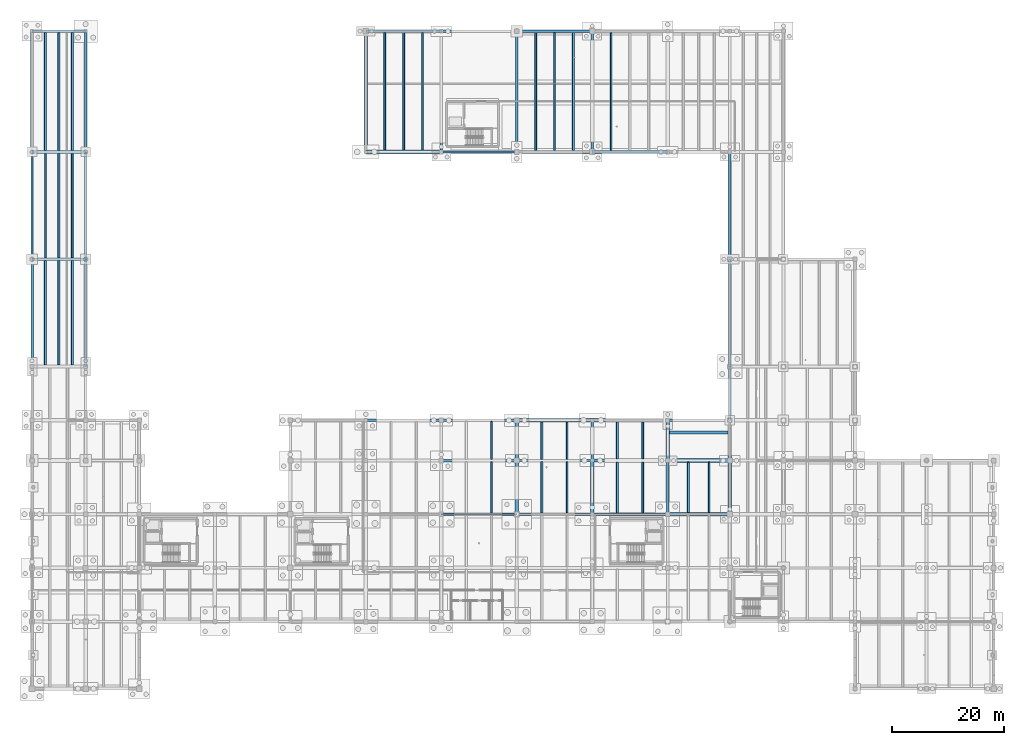
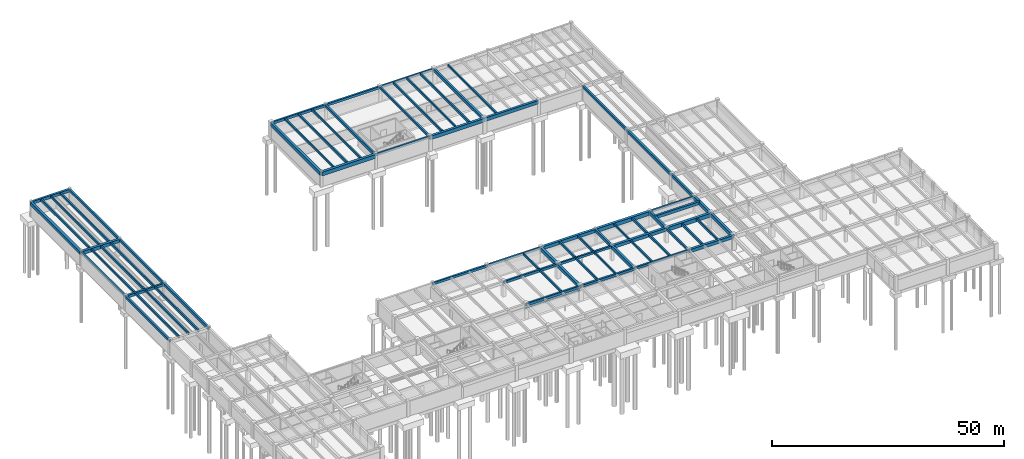
# One storey, part 11 of 41: 74 beams.
"""IFC4 building model written with IfcOpenShell, lengths in metres."""

from ifc_helpers import new_model, si_unit, direction, frame, origin, origin_2d, place, context, subcontext, project, spatial, rectangle, i_section, extrude, material, material_profile, profile_set, type_object, element, save


model = new_model("IFC4")

# Units and contexts
model_context = context("Model", 3, precision=1e-05, world=origin(), true_north=direction((0.0, 1.0)))
body_context = subcontext(model_context, "Body", "Model", "MODEL_VIEW")
ifc_project = project(units=[si_unit("LENGTHUNIT", "METRE"), si_unit("AREAUNIT", "SQUARE_METRE"), si_unit("VOLUMEUNIT", "CUBIC_METRE"), si_unit("PLANEANGLEUNIT", "RADIAN"), si_unit("MASSUNIT", "GRAM", prefix="KILO")], contexts=[model_context])

# Site, building, storey
site_placement = place(None, origin())
site = spatial("IfcSite", under=ifc_project, at=site_placement, CompositionType="ELEMENT")
building_placement = place(site_placement, origin())
building = spatial("IfcBuilding", under=site, at=building_placement, Name="Fikremerkos Civic Library", CompositionType="ELEMENT")
storey_placement = place(building_placement, frame((0.0, 0.0, -8.39990234375)))
storey = spatial("IfcBuildingStorey", under=building, at=storey_placement, Name="B02", CompositionType="ELEMENT", Elevation=-8.39990234375)

# Beams
ifc_material_1 = material(Name="Concrete C40/50", Category="concrete")
ifc_material_profile_1 = material_profile(ifc_material_1, rectangle(XDim=0.35009765625, YDim=0.60009765625, at=origin_2d()), Name="RC 350x600")
ifc_profile_set_1 = profile_set([ifc_material_profile_1], Name="Concrete C40/50")
beam_type_1 = type_object("IfcBeamType", Name="Floor joist JS-01 RC 350x600", PredefinedType="JOIST", material=ifc_profile_set_1)
for number, where, z_axis, x_axis, name in (
    (1, (2.39990234375, 57.875, 3.599853515625), (0.0, 1.0, 0.0), (-1.0, 0.0, 0.0), "Floor joist JS-01 B02 #13"),
    (2, (7.199951171875, 57.875, 3.599853515625), (0.0, 1.0, 0.0), (-1.0, 0.0, 0.0), "Floor joist JS-01 B02 #15"),
):
    element("IfcBeam", number, at=place(storey_placement, frame(where, z_axis=z_axis, x_axis=x_axis)), inside=storey, type_object=beam_type_1, Name=name, PredefinedType="JOIST", context=body_context, shape_type="SweptSolid", body=[
        extrude(rectangle(XDim=0.35009765625, YDim=0.60009765625, at=origin_2d()), origin(), (0.0, 0.0, 1.0), 18.699951171875),
    ])
beam_1_placement = place(storey_placement, frame((4.800048828125, 77.02490234375, 3.599853515625), z_axis=(0.0, 1.0, 0.0), x_axis=(-1.0, 0.0, 0.0)))
element("IfcBeam", 3, at=beam_1_placement, inside=storey, type_object=beam_type_1, Name="Floor joist JS-01 B02 #17", PredefinedType="JOIST", context=body_context, shape_type="SweptSolid", body=[
    extrude(rectangle(XDim=0.35009765625, YDim=0.60009765625, at=origin_2d()), origin(), (0.0, 0.0, 1.0), 18.675048828125),
])
for number, where, z_axis, x_axis, name in (
    (4, (2.39990234375, 96.300048828125, 3.599853515625), (0.0, 1.0, 0.0), (-1.0, 0.0, 0.0), "Floor joist JS-01 B02 #19"),
    (5, (7.199951171875, 96.300048828125, 3.599853515625), (0.0, 1.0, 0.0), (-1.0, 0.0, 0.0), "Floor joist JS-01 B02 #21"),
    (6, (66.449951171875, 96.324951171875, 3.599853515625), (0.0, 1.0, 0.0), (-1.0, 0.0, 0.0), "Floor joist JS-01 B02 #53"),
):
    element("IfcBeam", number, at=place(storey_placement, frame(where, z_axis=z_axis, x_axis=x_axis)), inside=storey, type_object=beam_type_1, Name=name, PredefinedType="JOIST", context=body_context, shape_type="SweptSolid", body=[
        extrude(rectangle(XDim=0.35009765625, YDim=0.60009765625, at=origin_2d()), origin(), (0.0, 0.0, 1.0), 21.050048828125),
    ])
beam_2_placement = place(storey_placement, frame((91.199951171875, 31.425048828125, 3.579833984375), z_axis=(0.0, 1.0, 0.0), x_axis=(-1.0, 0.0, 0.0)))
element("IfcBeam", 7, at=beam_2_placement, inside=storey, type_object=beam_type_1, Name="Floor joist JS-01 B02 #67", PredefinedType="JOIST", context=body_context, shape_type="SweptSolid", body=[
    extrude(rectangle(XDim=0.35009765625, YDim=0.60009765625, at=origin_2d()), origin(), (0.0, 0.0, 1.0), 9.175048828125),
])
beam_3_placement = place(storey_placement, frame((91.199951171875, 41.0, 3.579833984375), z_axis=(0.0, 1.0, 0.0), x_axis=(-1.0, 0.0, 0.0)))
element("IfcBeam", 8, at=beam_3_placement, inside=storey, type_object=beam_type_1, Name="Floor joist JS-01 B02 #69", PredefinedType="JOIST", context=body_context, shape_type="SweptSolid", body=[
    extrude(rectangle(XDim=0.35009765625, YDim=0.60009765625, at=origin_2d()), origin(), (0.0, 0.0, 1.0), 6.699951171875),
])
for number, where, z_axis, x_axis, name in (
    (9, (90.074951171875, 96.300048828125, 3.599853515625), (0.0, 1.0, 0.0), (-1.0, 0.0, 0.0), "Floor joist JS-01 B02 #71"),
    (10, (96.824951171875, 96.300048828125, 3.599853515625), (0.0, 1.0, 0.0), (-1.0, 0.0, 0.0), "Floor joist JS-01 B02 #73"),
):
    element("IfcBeam", number, at=place(storey_placement, frame(where, z_axis=z_axis, x_axis=x_axis)), inside=storey, type_object=beam_type_1, Name=name, PredefinedType="JOIST", context=body_context, shape_type="SweptSolid", body=[
        extrude(rectangle(XDim=0.35009765625, YDim=0.60009765625, at=origin_2d()), origin(), (0.0, 0.0, 1.0), 21.099853515625),
    ])
beam_4_placement = place(storey_placement, frame((109.199951171875, 31.39990234375, 3.579833984375), z_axis=(0.0, 1.0, 0.0), x_axis=(-1.0, 0.0, 0.0)))
element("IfcBeam", 11, at=beam_4_placement, inside=storey, type_object=beam_type_1, Name="Floor joist JS-01 B02 #77", PredefinedType="JOIST", context=body_context, shape_type="SweptSolid", body=[
    extrude(rectangle(XDim=0.35009765625, YDim=0.60009765625, at=origin_2d()), origin(), (0.0, 0.0, 1.0), 9.10009765625),
])
beam_5_placement = place(storey_placement, frame((109.199951171875, 41.10009765625, 3.579833984375), z_axis=(0.0, 1.0, 0.0), x_axis=(-1.0, 0.0, 0.0)))
element("IfcBeam", 12, at=beam_5_placement, inside=storey, type_object=beam_type_1, Name="Floor joist JS-01 B02 #79", PredefinedType="JOIST", context=body_context, shape_type="SweptSolid", body=[
    extrude(rectangle(XDim=0.35009765625, YDim=0.60009765625, at=origin_2d()), origin(), (0.0, 0.0, 1.0), 6.574951171875),
])
beam_6_placement = place(storey_placement, frame((117.39990234375, 31.5, 3.579833984375), z_axis=(0.0, 1.0, 0.0), x_axis=(-1.0, 0.0, 0.0)))
element("IfcBeam", 13, at=beam_6_placement, inside=storey, type_object=beam_type_1, Name="Floor joist JS-01 B02 #87", PredefinedType="JOIST", context=body_context, shape_type="SweptSolid", body=[
    extrude(rectangle(XDim=0.35009765625, YDim=0.60009765625, at=origin_2d()), origin(), (0.0, 0.0, 1.0), 8.97509765625),
])
ifc_material_profile_2 = material_profile(ifc_material_1, rectangle(XDim=0.320068359375, YDim=0.550048828125, at=origin_2d()), Name="RC 320x550")
ifc_profile_set_2 = profile_set([ifc_material_profile_2], Name="Concrete C40/50")
beam_type_2 = type_object("IfcBeamType", Name="Floor joist JS-02 RC 320x550", PredefinedType="JOIST", material=ifc_profile_set_2)
beam_7_placement = place(storey_placement, frame((4.800048828125, 57.875, 3.625), z_axis=(0.0, 1.0, 0.0), x_axis=(-1.0, 0.0, 0.0)))
element("IfcBeam", 14, at=beam_7_placement, inside=storey, type_object=beam_type_2, Name="Floor joist JS-02 B02 #14", PredefinedType="JOIST", context=body_context, shape_type="SweptSolid", body=[
    extrude(rectangle(XDim=0.320068359375, YDim=0.550048828125, at=origin_2d()), origin(), (0.0, 0.0, 1.0), 18.699951171875),
])
for number, where, z_axis, x_axis, name in (
    (15, (2.39990234375, 77.02490234375, 3.625), (0.0, 1.0, 0.0), (-1.0, 0.0, 0.0), "Floor joist JS-02 B02 #16"),
    (16, (7.199951171875, 77.02490234375, 3.625), (0.0, 1.0, 0.0), (-1.0, 0.0, 0.0), "Floor joist JS-02 B02 #18"),
):
    element("IfcBeam", number, at=place(storey_placement, frame(where, z_axis=z_axis, x_axis=x_axis)), inside=storey, type_object=beam_type_2, Name=name, PredefinedType="JOIST", context=body_context, shape_type="SweptSolid", body=[
        extrude(rectangle(XDim=0.320068359375, YDim=0.550048828125, at=origin_2d()), origin(), (0.0, 0.0, 1.0), 18.675048828125),
    ])
for number, where, z_axis, x_axis, name in (
    (17, (4.800048828125, 96.300048828125, 3.625), (0.0, 1.0, 0.0), (-1.0, 0.0, 0.0), "Floor joist JS-02 B02 #20"),
    (18, (63.074951171875, 96.324951171875, 3.625), (0.0, 1.0, 0.0), (-1.0, 0.0, 0.0), "Floor joist JS-02 B02 #52"),
    (19, (69.824951171875, 96.324951171875, 3.625), (0.0, 1.0, 0.0), (-1.0, 0.0, 0.0), "Floor joist JS-02 B02 #54"),
):
    element("IfcBeam", number, at=place(storey_placement, frame(where, z_axis=z_axis, x_axis=x_axis)), inside=storey, type_object=beam_type_2, Name=name, PredefinedType="JOIST", context=body_context, shape_type="SweptSolid", body=[
        extrude(rectangle(XDim=0.320068359375, YDim=0.550048828125, at=origin_2d()), origin(), (0.0, 0.0, 1.0), 21.050048828125),
    ])
beam_8_placement = place(storey_placement, frame((82.199951171875, 31.425048828125, 3.60498046875), z_axis=(0.0, 1.0, 0.0), x_axis=(-1.0, 0.0, 0.0)))
element("IfcBeam", 20, at=beam_8_placement, inside=storey, type_object=beam_type_2, Name="Floor joist JS-02 B02 #60", PredefinedType="JOIST", context=body_context, shape_type="SweptSolid", body=[
    extrude(rectangle(XDim=0.320068359375, YDim=0.550048828125, at=origin_2d()), origin(), (0.0, 0.0, 1.0), 9.14990234375),
])
beam_9_placement = place(storey_placement, frame((82.199951171875, 41.02490234375, 3.60498046875), z_axis=(0.0, 1.0, 0.0), x_axis=(-1.0, 0.0, 0.0)))
element("IfcBeam", 21, at=beam_9_placement, inside=storey, type_object=beam_type_2, Name="Floor joist JS-02 B02 #62", PredefinedType="JOIST", context=body_context, shape_type="SweptSolid", body=[
    extrude(rectangle(XDim=0.320068359375, YDim=0.550048828125, at=origin_2d()), origin(), (0.0, 0.0, 1.0), 6.775146484375),
])
beam_10_placement = place(storey_placement, frame((95.699951171875, 31.425048828125, 3.60498046875), z_axis=(0.0, 1.0, 0.0), x_axis=(-1.0, 0.0, 0.0)))
element("IfcBeam", 22, at=beam_10_placement, inside=storey, type_object=beam_type_2, Name="Floor joist JS-02 B02 #68", PredefinedType="JOIST", context=body_context, shape_type="SweptSolid", body=[
    extrude(rectangle(XDim=0.320068359375, YDim=0.550048828125, at=origin_2d()), origin(), (0.0, 0.0, 1.0), 9.175048828125),
])
beam_11_placement = place(storey_placement, frame((95.699951171875, 41.0, 3.60498046875), z_axis=(0.0, 1.0, 0.0), x_axis=(-1.0, 0.0, 0.0)))
element("IfcBeam", 23, at=beam_11_placement, inside=storey, type_object=beam_type_2, Name="Floor joist JS-02 B02 #70", PredefinedType="JOIST", context=body_context, shape_type="SweptSolid", body=[
    extrude(rectangle(XDim=0.320068359375, YDim=0.550048828125, at=origin_2d()), origin(), (0.0, 0.0, 1.0), 6.699951171875),
])
beam_12_placement = place(storey_placement, frame((93.449951171875, 96.300048828125, 3.625), z_axis=(0.0, 1.0, 0.0), x_axis=(-1.0, 0.0, 0.0)))
element("IfcBeam", 24, at=beam_12_placement, inside=storey, type_object=beam_type_2, Name="Floor joist JS-02 B02 #72", PredefinedType="JOIST", context=body_context, shape_type="SweptSolid", body=[
    extrude(rectangle(XDim=0.320068359375, YDim=0.550048828125, at=origin_2d()), origin(), (0.0, 0.0, 1.0), 21.099853515625),
])
beam_13_placement = place(storey_placement, frame((104.699951171875, 31.39990234375, 3.60498046875), z_axis=(0.0, 1.0, 0.0), x_axis=(-1.0, 0.0, 0.0)))
element("IfcBeam", 25, at=beam_13_placement, inside=storey, type_object=beam_type_2, Name="Floor joist JS-02 B02 #76", PredefinedType="JOIST", context=body_context, shape_type="SweptSolid", body=[
    extrude(rectangle(XDim=0.320068359375, YDim=0.550048828125, at=origin_2d()), origin(), (0.0, 0.0, 1.0), 9.10009765625),
])
beam_14_placement = place(storey_placement, frame((104.699951171875, 41.10009765625, 3.60498046875), z_axis=(0.0, 1.0, 0.0), x_axis=(-1.0, 0.0, 0.0)))
element("IfcBeam", 26, at=beam_14_placement, inside=storey, type_object=beam_type_2, Name="Floor joist JS-02 B02 #78", PredefinedType="JOIST", context=body_context, shape_type="SweptSolid", body=[
    extrude(rectangle(XDim=0.320068359375, YDim=0.550048828125, at=origin_2d()), origin(), (0.0, 0.0, 1.0), 6.574951171875),
])
beam_15_placement = place(storey_placement, frame((103.574951171875, 96.27490234375, 3.625), z_axis=(0.0, 1.0, 0.0), x_axis=(-1.0, 0.0, 0.0)))
element("IfcBeam", 27, at=beam_15_placement, inside=storey, type_object=beam_type_2, Name="Floor joist JS-02 B02 #80", PredefinedType="JOIST", context=body_context, shape_type="SweptSolid", body=[
    extrude(rectangle(XDim=0.320068359375, YDim=0.550048828125, at=origin_2d()), origin(), (0.0, 0.0, 1.0), 21.025146484375),
])
beam_16_placement = place(storey_placement, frame((121.10009765625, 31.5, 3.60498046875), z_axis=(0.0, 1.0, 0.0), x_axis=(-1.0, 0.0, 0.0)))
element("IfcBeam", 28, at=beam_16_placement, inside=storey, type_object=beam_type_2, Name="Floor joist JS-02 B02 #88", PredefinedType="JOIST", context=body_context, shape_type="SweptSolid", body=[
    extrude(rectangle(XDim=0.320068359375, YDim=0.550048828125, at=origin_2d()), origin(), (0.0, 0.0, 1.0), 8.97509765625),
])
ifc_material_2 = material(Name="Steel S355", Category="steel")
ifc_material_profile_3 = material_profile(ifc_material_2, i_section(OverallWidth=0.1201171875, OverallDepth=0.239990234375, WebThickness=0.006103515625, FlangeThickness=0.009765625, FilletRadius=0.014892578125, at=origin_2d()), Name="IPE 240")
ifc_profile_set_3 = profile_set([ifc_material_profile_3], Name="Steel S355")
beam_type_3 = type_object("IfcBeamType", Name="Opening lintel LNT-04 IPE 240", PredefinedType="LINTEL", material=ifc_profile_set_3)
beam_17_placement = place(storey_placement, frame((73.199951171875, 31.199951171875, 2.619873046875), z_axis=(1.0, 0.0, 0.0), x_axis=(0.0, 1.0, 0.0)))
element("IfcBeam", 29, at=beam_17_placement, inside=storey, type_object=beam_type_3, Name="Interior portal lintel LNT-04 B02 #2", PredefinedType="LINTEL", context=body_context, shape_type="SweptSolid", body=[
    extrude(i_section(OverallWidth=0.1201171875, OverallDepth=0.239990234375, WebThickness=0.006103515625, FlangeThickness=0.009765625, FilletRadius=0.014892578125, at=origin_2d()), origin(), (0.0, 0.0, 1.0), 13.5),
])
ifc_material_profile_4 = material_profile(ifc_material_1, rectangle(XDim=0.60009765625, YDim=0.949951171875, at=origin_2d()), Name="RC 600x950")
ifc_profile_set_4 = profile_set([ifc_material_profile_4], Name="Concrete C40/50")
beam_type_4 = type_object("IfcBeamType", Name="Primary girder BM-01 RC 600x950", PredefinedType="BEAM", material=ifc_profile_set_4)
beam_18_placement = place(storey_placement, frame((86.699951171875, 96.0, 3.4248046875), z_axis=(1.0, 0.0, 0.0), x_axis=(0.0, 1.0, 0.0)))
element("IfcBeam", 30, at=beam_18_placement, inside=storey, type_object=beam_type_4, Name="Primary girder BM-01 B02 grid M", PredefinedType="BEAM", context=body_context, shape_type="SweptSolid", body=[
    extrude(rectangle(XDim=0.60009765625, YDim=0.949951171875, at=origin_2d()), origin(), (0.0, 0.0, 1.0), 13.5),
])
beam_19_placement = place(storey_placement, frame((59.699951171875, 96.0, 3.4248046875), z_axis=(0.0, 1.0, 0.0), x_axis=(-1.0, 0.0, 0.0)))
element("IfcBeam", 31, at=beam_19_placement, inside=storey, type_object=beam_type_4, Name="Primary girder BM-01 B02 grid 6", PredefinedType="BEAM", context=body_context, shape_type="SweptSolid", body=[
    extrude(rectangle(XDim=0.60009765625, YDim=0.949951171875, at=origin_2d()), origin(), (0.0, 0.0, 1.0), 21.60009765625),
])
ifc_material_profile_5 = material_profile(ifc_material_1, rectangle(XDim=0.550048828125, YDim=0.89990234375, at=origin_2d()), Name="RC 550x900")
ifc_profile_set_5 = profile_set([ifc_material_profile_5], Name="Concrete C40/50")
beam_type_5 = type_object("IfcBeamType", Name="Primary girder BM-02 RC 550x900", PredefinedType="BEAM", material=ifc_profile_set_5)
beam_20_placement = place(storey_placement, frame((100.199951171875, 96.0, 3.449951171875), z_axis=(1.0, 0.0, 0.0), x_axis=(0.0, 1.0, 0.0)))
element("IfcBeam", 32, at=beam_20_placement, inside=storey, type_object=beam_type_5, Name="Primary girder BM-02 B02 grid M", PredefinedType="BEAM", context=body_context, shape_type="SweptSolid", body=[
    extrude(rectangle(XDim=0.550048828125, YDim=0.89990234375, at=origin_2d()), origin(), (0.0, 0.0, 1.0), 13.5),
])
beam_21_placement = place(storey_placement, frame((124.800048828125, 31.199951171875, 3.429931640625), z_axis=(0.0, 1.0, 0.0), x_axis=(-1.0, 0.0, 0.0)))
element("IfcBeam", 33, at=beam_21_placement, inside=storey, type_object=beam_type_5, Name="Primary girder BM-02 B02 grid 11", PredefinedType="BEAM", context=body_context, shape_type="SweptSolid", body=[
    extrude(rectangle(XDim=0.550048828125, YDim=0.89990234375, at=origin_2d()), origin(), (0.0, 0.0, 1.0), 9.60009765625),
])
ifc_material_profile_6 = material_profile(ifc_material_1, rectangle(XDim=0.550048828125, YDim=0.85009765625, at=origin_2d()), Name="RC 550x850")
ifc_profile_set_6 = profile_set([ifc_material_profile_6], Name="Concrete C40/50")
beam_type_6 = type_object("IfcBeamType", Name="Primary girder BM-03 RC 550x850", PredefinedType="BEAM", material=ifc_profile_set_6)
beam_22_placement = place(storey_placement, frame((100.199951171875, 31.199951171875, 3.454833984375), z_axis=(0.0, 1.0, 0.0), x_axis=(-1.0, 0.0, 0.0)))
element("IfcBeam", 34, at=beam_22_placement, inside=storey, type_object=beam_type_6, Name="Primary girder BM-03 B02 grid 9", PredefinedType="BEAM", context=body_context, shape_type="SweptSolid", body=[
    extrude(rectangle(XDim=0.550048828125, YDim=0.85009765625, at=origin_2d()), origin(), (0.0, 0.0, 1.0), 9.60009765625),
])
beam_23_placement = place(storey_placement, frame((124.800048828125, 40.800048828125, 3.454833984375), z_axis=(0.0, 1.0, 0.0), x_axis=(-1.0, 0.0, 0.0)))
element("IfcBeam", 35, at=beam_23_placement, inside=storey, type_object=beam_type_6, Name="Primary girder BM-03 B02 grid 11", PredefinedType="BEAM", context=body_context, shape_type="SweptSolid", body=[
    extrude(rectangle(XDim=0.550048828125, YDim=0.85009765625, at=origin_2d()), origin(), (0.0, 0.0, 1.0), 7.199951171875),
])
ifc_material_profile_7 = material_profile(ifc_material_1, rectangle(XDim=0.5, YDim=0.800048828125, at=origin_2d()), Name="RC 500x800")
ifc_profile_set_7 = profile_set([ifc_material_profile_7], Name="Concrete C40/50")
beam_type_7 = type_object("IfcBeamType", Name="Primary girder BM-04 RC 500x800", PredefinedType="BEAM", material=ifc_profile_set_7)
beam_24_placement = place(storey_placement, frame((113.699951171875, 45.800048828125, 3.47998046875), z_axis=(1.0, 0.0, 0.0), x_axis=(0.0, 1.0, 0.0)))
element("IfcBeam", 36, at=beam_24_placement, inside=storey, type_object=beam_type_7, Name="Vehicle ramp VRS-01 toe bearing girder BM-04 B02", PredefinedType="BEAM", context=body_context, shape_type="SweptSolid", body=[
    extrude(rectangle(XDim=0.5, YDim=0.800048828125, at=origin_2d()), origin(), (0.0, 0.0, 1.0), 11.10009765625),
])
beam_25_placement = place(storey_placement, frame((100.199951171875, 40.800048828125, 3.47998046875), z_axis=(0.0, 1.0, 0.0), x_axis=(-1.0, 0.0, 0.0)))
element("IfcBeam", 37, at=beam_25_placement, inside=storey, type_object=beam_type_7, Name="Primary girder BM-04 B02 grid 9", PredefinedType="BEAM", context=body_context, shape_type="SweptSolid", body=[
    extrude(rectangle(XDim=0.5, YDim=0.800048828125, at=origin_2d()), origin(), (0.0, 0.0, 1.0), 7.199951171875),
])
beam_26_placement = place(storey_placement, frame((124.800048828125, 48.0, 3.5), z_axis=(0.0, 1.0, 0.0), x_axis=(-1.0, 0.0, 0.0)))
element("IfcBeam", 38, at=beam_26_placement, inside=storey, type_object=beam_type_7, Name="Primary girder BM-04 B02 grid 11", PredefinedType="BEAM", context=body_context, shape_type="SweptSolid", body=[
    extrude(rectangle(XDim=0.5, YDim=0.800048828125, at=origin_2d()), origin(), (0.0, 0.0, 1.0), 9.60009765625),
])
ifc_material_profile_8 = material_profile(ifc_material_1, rectangle(XDim=0.5, YDim=0.75, at=origin_2d()), Name="RC 500x750")
ifc_profile_set_8 = profile_set([ifc_material_profile_8], Name="Concrete C40/50")
beam_type_8 = type_object("IfcBeamType", Name="Primary girder BM-05 RC 500x750", PredefinedType="BEAM", material=ifc_profile_set_8)
beam_27_placement = place(storey_placement, frame((0.0, 117.60009765625, 3.52490234375), z_axis=(1.0, 0.0, 0.0), x_axis=(0.0, 1.0, 0.0)))
element("IfcBeam", 39, at=beam_27_placement, inside=storey, type_object=beam_type_8, Name="Primary girder BM-05 B02 grid N", PredefinedType="BEAM", context=body_context, shape_type="SweptSolid", body=[
    extrude(rectangle(XDim=0.5, YDim=0.75, at=origin_2d()), origin(), (0.0, 0.0, 1.0), 9.60009765625),
])
beam_28_placement = place(storey_placement, frame((9.60009765625, 57.60009765625, 3.52490234375), z_axis=(0.0, 1.0, 0.0), x_axis=(-1.0, 0.0, 0.0)))
element("IfcBeam", 40, at=beam_28_placement, inside=storey, type_object=beam_type_8, Name="Primary girder BM-05 B02 grid 2", PredefinedType="BEAM", context=body_context, shape_type="SweptSolid", body=[
    extrude(rectangle(XDim=0.5, YDim=0.75, at=origin_2d()), origin(), (0.0, 0.0, 1.0), 19.199951171875),
])
beam_29_placement = place(storey_placement, frame((100.199951171875, 96.0, 3.52490234375), z_axis=(0.0, 1.0, 0.0), x_axis=(-1.0, 0.0, 0.0)))
element("IfcBeam", 41, at=beam_29_placement, inside=storey, type_object=beam_type_8, Name="Primary girder BM-05 B02 grid 9", PredefinedType="BEAM", context=body_context, shape_type="SweptSolid", body=[
    extrude(rectangle(XDim=0.5, YDim=0.75, at=origin_2d()), origin(), (0.0, 0.0, 1.0), 21.60009765625),
])
beam_30_placement = place(storey_placement, frame((124.800048828125, 57.60009765625, 3.52490234375), z_axis=(0.0, 1.0, 0.0), x_axis=(-1.0, 0.0, 0.0)))
element("IfcBeam", 42, at=beam_30_placement, inside=storey, type_object=beam_type_8, Name="Primary girder BM-05 B02 grid 11", PredefinedType="BEAM", context=body_context, shape_type="SweptSolid", body=[
    extrude(rectangle(XDim=0.5, YDim=0.75, at=origin_2d()), origin(), (0.0, 0.0, 1.0), 19.199951171875),
])
ifc_material_profile_9 = material_profile(ifc_material_1, rectangle(XDim=0.449951171875, YDim=0.699951171875, at=origin_2d()), Name="RC 450x700")
ifc_profile_set_9 = profile_set([ifc_material_profile_9], Name="Concrete C40/50")
beam_type_9 = type_object("IfcBeamType", Name="Primary girder BM-06 RC 450x700", PredefinedType="BEAM", material=ifc_profile_set_9)
beam_31_placement = place(storey_placement, frame((73.199951171875, 31.199951171875, 3.510009765625), z_axis=(1.0, 0.0, 0.0), x_axis=(0.0, 1.0, 0.0)))
element("IfcBeam", 43, at=beam_31_placement, inside=storey, type_object=beam_type_9, Name="Primary girder BM-06 B02 grid G", PredefinedType="BEAM", context=body_context, shape_type="SweptSolid", body=[
    extrude(rectangle(XDim=0.449951171875, YDim=0.699951171875, at=origin_2d()), origin(), (0.0, 0.0, 1.0), 13.5),
])
beam_32_placement = place(storey_placement, frame((0.0, 76.800048828125, 3.5498046875), z_axis=(1.0, 0.0, 0.0), x_axis=(0.0, 1.0, 0.0)))
element("IfcBeam", 44, at=beam_32_placement, inside=storey, type_object=beam_type_9, Name="Primary girder BM-06 B02 grid L", PredefinedType="BEAM", context=body_context, shape_type="SweptSolid", body=[
    extrude(rectangle(XDim=0.449951171875, YDim=0.699951171875, at=origin_2d()), origin(), (0.0, 0.0, 1.0), 9.60009765625),
])
beam_33_placement = place(storey_placement, frame((59.699951171875, 117.60009765625, 3.5498046875), z_axis=(1.0, 0.0, 0.0), x_axis=(0.0, 1.0, 0.0)))
element("IfcBeam", 45, at=beam_33_placement, inside=storey, type_object=beam_type_9, Name="Primary girder BM-06 B02 grid N", PredefinedType="BEAM", context=body_context, shape_type="SweptSolid", body=[
    extrude(rectangle(XDim=0.449951171875, YDim=0.699951171875, at=origin_2d()), origin(), (0.0, 0.0, 1.0), 13.5),
])
beam_34_placement = place(storey_placement, frame((9.60009765625, 76.800048828125, 3.5498046875), z_axis=(0.0, 1.0, 0.0), x_axis=(-1.0, 0.0, 0.0)))
element("IfcBeam", 46, at=beam_34_placement, inside=storey, type_object=beam_type_9, Name="Primary girder BM-06 B02 grid 2", PredefinedType="BEAM", context=body_context, shape_type="SweptSolid", body=[
    extrude(rectangle(XDim=0.449951171875, YDim=0.699951171875, at=origin_2d()), origin(), (0.0, 0.0, 1.0), 19.199951171875),
])
beam_35_placement = place(storey_placement, frame((73.199951171875, 96.0, 3.5498046875), z_axis=(0.0, 1.0, 0.0), x_axis=(-1.0, 0.0, 0.0)))
element("IfcBeam", 47, at=beam_35_placement, inside=storey, type_object=beam_type_9, Name="Primary girder BM-06 B02 grid 7", PredefinedType="BEAM", context=body_context, shape_type="SweptSolid", body=[
    extrude(rectangle(XDim=0.449951171875, YDim=0.699951171875, at=origin_2d()), origin(), (0.0, 0.0, 1.0), 21.60009765625),
])
beam_36_placement = place(storey_placement, frame((124.800048828125, 76.800048828125, 3.56982421875), z_axis=(0.0, 1.0, 0.0), x_axis=(-1.0, 0.0, 0.0)))
element("IfcBeam", 48, at=beam_36_placement, inside=storey, type_object=beam_type_9, Name="Primary girder BM-06 B02 grid 11", PredefinedType="BEAM", context=body_context, shape_type="SweptSolid", body=[
    extrude(rectangle(XDim=0.449951171875, YDim=0.699951171875, at=origin_2d()), origin(), (0.0, 0.0, 1.0), 19.199951171875),
])
ifc_material_profile_10 = material_profile(ifc_material_1, rectangle(XDim=0.449951171875, YDim=0.64990234375, at=origin_2d()), Name="RC 450x650")
ifc_profile_set_10 = profile_set([ifc_material_profile_10], Name="Concrete C40/50")
beam_type_10 = type_object("IfcBeamType", Name="Primary girder BM-07 RC 450x650", PredefinedType="BEAM", material=ifc_profile_set_10)
for number, where, z_axis, x_axis, name in (
    (49, (86.699951171875, 31.199951171875, 3.534912109375), (1.0, 0.0, 0.0), (0.0, 1.0, 0.0), "Primary girder BM-07 B02 grid G"),
    (50, (73.199951171875, 40.800048828125, 3.554931640625), (1.0, 0.0, 0.0), (0.0, 1.0, 0.0), "Primary girder BM-07 B02 grid H"),
    (51, (59.699951171875, 48.0, 3.554931640625), (1.0, 0.0, 0.0), (0.0, 1.0, 0.0), "Primary girder BM-07 B02 grid J"),
    (52, (73.199951171875, 117.60009765625, 3.574951171875), (1.0, 0.0, 0.0), (0.0, 1.0, 0.0), "Primary girder BM-07 B02 grid N"),
):
    element("IfcBeam", number, at=place(storey_placement, frame(where, z_axis=z_axis, x_axis=x_axis)), inside=storey, type_object=beam_type_10, Name=name, PredefinedType="BEAM", context=body_context, shape_type="SweptSolid", body=[
        extrude(rectangle(XDim=0.449951171875, YDim=0.64990234375, at=origin_2d()), origin(), (0.0, 0.0, 1.0), 13.5),
    ])
beam_37_placement = place(storey_placement, frame((0.0, 57.60009765625, 3.574951171875), z_axis=(0.0, 1.0, 0.0), x_axis=(-1.0, 0.0, 0.0)))
element("IfcBeam", 53, at=beam_37_placement, inside=storey, type_object=beam_type_10, Name="Primary girder BM-07 B02 grid 1", PredefinedType="BEAM", context=body_context, shape_type="SweptSolid", body=[
    extrude(rectangle(XDim=0.449951171875, YDim=0.64990234375, at=origin_2d()), origin(), (0.0, 0.0, 1.0), 19.199951171875),
])
beam_38_placement = place(storey_placement, frame((9.60009765625, 96.0, 3.574951171875), z_axis=(0.0, 1.0, 0.0), x_axis=(-1.0, 0.0, 0.0)))
element("IfcBeam", 54, at=beam_38_placement, inside=storey, type_object=beam_type_10, Name="Primary girder BM-07 B02 grid 2", PredefinedType="BEAM", context=body_context, shape_type="SweptSolid", body=[
    extrude(rectangle(XDim=0.449951171875, YDim=0.64990234375, at=origin_2d()), origin(), (0.0, 0.0, 1.0), 21.60009765625),
])
ifc_material_profile_11 = material_profile(ifc_material_1, rectangle(XDim=0.39990234375, YDim=0.60009765625, at=origin_2d()), Name="RC 400x600")
ifc_profile_set_11 = profile_set([ifc_material_profile_11], Name="Concrete C40/50")
beam_type_11 = type_object("IfcBeamType", Name="Primary girder BM-08 RC 400x600", PredefinedType="BEAM", material=ifc_profile_set_11)
for number, where, z_axis, x_axis, name in (
    (55, (100.199951171875, 31.199951171875, 3.559814453125), (1.0, 0.0, 0.0), (0.0, 1.0, 0.0), "Primary girder BM-08 B02 grid G"),
    (56, (86.699951171875, 40.800048828125, 3.579833984375), (1.0, 0.0, 0.0), (0.0, 1.0, 0.0), "Primary girder BM-08 B02 grid H"),
    (57, (73.199951171875, 48.0, 3.579833984375), (1.0, 0.0, 0.0), (0.0, 1.0, 0.0), "Primary girder BM-08 B02 grid J"),
    (58, (86.699951171875, 117.60009765625, 3.599853515625), (1.0, 0.0, 0.0), (0.0, 1.0, 0.0), "Primary girder BM-08 B02 grid N"),
):
    element("IfcBeam", number, at=place(storey_placement, frame(where, z_axis=z_axis, x_axis=x_axis)), inside=storey, type_object=beam_type_11, Name=name, PredefinedType="BEAM", context=body_context, shape_type="SweptSolid", body=[
        extrude(rectangle(XDim=0.39990234375, YDim=0.60009765625, at=origin_2d()), origin(), (0.0, 0.0, 1.0), 13.5),
    ])
beam_39_placement = place(storey_placement, frame((0.0, 76.800048828125, 3.599853515625), z_axis=(0.0, 1.0, 0.0), x_axis=(-1.0, 0.0, 0.0)))
element("IfcBeam", 59, at=beam_39_placement, inside=storey, type_object=beam_type_11, Name="Primary girder BM-08 B02 grid 1", PredefinedType="BEAM", context=body_context, shape_type="SweptSolid", body=[
    extrude(rectangle(XDim=0.39990234375, YDim=0.60009765625, at=origin_2d()), origin(), (0.0, 0.0, 1.0), 19.199951171875),
])
beam_40_placement = place(storey_placement, frame((113.699951171875, 31.199951171875, 3.579833984375), z_axis=(0.0, 1.0, 0.0), x_axis=(-1.0, 0.0, 0.0)))
element("IfcBeam", 60, at=beam_40_placement, inside=storey, type_object=beam_type_11, Name="Primary girder BM-08 B02 grid 10", PredefinedType="BEAM", context=body_context, shape_type="SweptSolid", body=[
    extrude(rectangle(XDim=0.39990234375, YDim=0.60009765625, at=origin_2d()), origin(), (0.0, 0.0, 1.0), 9.60009765625),
])
ifc_material_profile_12 = material_profile(ifc_material_1, rectangle(XDim=0.60009765625, YDim=0.85009765625, at=origin_2d()), Name="RC 600x850")
ifc_profile_set_12 = profile_set([ifc_material_profile_12], Name="Concrete C40/50")
beam_type_12 = type_object("IfcBeamType", Name="Primary girder BM-24 RC 600x850", PredefinedType="BEAM", material=ifc_profile_set_12)
beam_41_placement = place(storey_placement, frame((113.699951171875, 31.199951171875, 3.434814453125), z_axis=(1.0, 0.0, 0.0), x_axis=(0.0, 1.0, 0.0)))
element("IfcBeam", 61, at=beam_41_placement, inside=storey, type_object=beam_type_12, Name="Primary girder BM-24 B02 grid G", PredefinedType="BEAM", context=body_context, shape_type="SweptSolid", body=[
    extrude(rectangle(XDim=0.60009765625, YDim=0.85009765625, at=origin_2d()), origin(), (0.0, 0.0, 1.0), 11.10009765625),
])
for number, where, z_axis, x_axis, name in (
    (62, (100.199951171875, 40.800048828125, 3.454833984375), (1.0, 0.0, 0.0), (0.0, 1.0, 0.0), "Primary girder BM-24 B02 grid H"),
    (63, (86.699951171875, 48.0, 3.454833984375), (1.0, 0.0, 0.0), (0.0, 1.0, 0.0), "Primary girder BM-24 B02 grid J"),
):
    element("IfcBeam", number, at=place(storey_placement, frame(where, z_axis=z_axis, x_axis=x_axis)), inside=storey, type_object=beam_type_12, Name=name, PredefinedType="BEAM", context=body_context, shape_type="SweptSolid", body=[
        extrude(rectangle(XDim=0.60009765625, YDim=0.85009765625, at=origin_2d()), origin(), (0.0, 0.0, 1.0), 13.5),
    ])
beam_42_placement = place(storey_placement, frame((0.0, 96.0, 3.474853515625), z_axis=(1.0, 0.0, 0.0), x_axis=(0.0, 1.0, 0.0)))
element("IfcBeam", 64, at=beam_42_placement, inside=storey, type_object=beam_type_12, Name="Primary girder BM-24 B02 grid M", PredefinedType="BEAM", context=body_context, shape_type="SweptSolid", body=[
    extrude(rectangle(XDim=0.60009765625, YDim=0.85009765625, at=origin_2d()), origin(), (0.0, 0.0, 1.0), 9.60009765625),
])
beam_43_placement = place(storey_placement, frame((0.0, 96.0, 3.474853515625), z_axis=(0.0, 1.0, 0.0), x_axis=(-1.0, 0.0, 0.0)))
element("IfcBeam", 65, at=beam_43_placement, inside=storey, type_object=beam_type_12, Name="Primary girder BM-24 B02 grid 1", PredefinedType="BEAM", context=body_context, shape_type="SweptSolid", body=[
    extrude(rectangle(XDim=0.60009765625, YDim=0.85009765625, at=origin_2d()), origin(), (0.0, 0.0, 1.0), 21.60009765625),
])
beam_44_placement = place(storey_placement, frame((86.699951171875, 31.199951171875, 3.454833984375), z_axis=(0.0, 1.0, 0.0), x_axis=(-1.0, 0.0, 0.0)))
element("IfcBeam", 66, at=beam_44_placement, inside=storey, type_object=beam_type_12, Name="Primary girder BM-24 B02 grid 8", PredefinedType="BEAM", context=body_context, shape_type="SweptSolid", body=[
    extrude(rectangle(XDim=0.60009765625, YDim=0.85009765625, at=origin_2d()), origin(), (0.0, 0.0, 1.0), 9.60009765625),
])
beam_45_placement = place(storey_placement, frame((113.699951171875, 40.800048828125, 3.454833984375), z_axis=(0.0, 1.0, 0.0), x_axis=(-1.0, 0.0, 0.0)))
element("IfcBeam", 67, at=beam_45_placement, inside=storey, type_object=beam_type_12, Name="Primary girder BM-24 B02 grid 10", PredefinedType="BEAM", context=body_context, shape_type="SweptSolid", body=[
    extrude(rectangle(XDim=0.60009765625, YDim=0.85009765625, at=origin_2d()), origin(), (0.0, 0.0, 1.0), 7.199951171875),
])
ifc_material_3 = material(Name="Concrete C45/55", Category="concrete")
ifc_material_profile_13 = material_profile(ifc_material_3, rectangle(XDim=0.64990234375, YDim=1.0, at=origin_2d()), Name="RC 650x1000")
ifc_profile_set_13 = profile_set([ifc_material_profile_13], Name="Concrete C45/55")
beam_type_13 = type_object("IfcBeamType", Name="Primary girder BM-25 RC 650x1000", PredefinedType="BEAM", material=ifc_profile_set_13)
beam_46_placement = place(storey_placement, frame((113.699951171875, 40.800048828125, 3.3798828125), z_axis=(1.0, 0.0, 0.0), x_axis=(0.0, 1.0, 0.0)))
element("IfcBeam", 68, at=beam_46_placement, inside=storey, type_object=beam_type_13, Name="Primary girder BM-25 B02 grid H", PredefinedType="BEAM", context=body_context, shape_type="SweptSolid", body=[
    extrude(rectangle(XDim=0.64990234375, YDim=1.0, at=origin_2d()), origin(), (0.0, 0.0, 1.0), 11.10009765625),
])
for number, where, z_axis, x_axis, name in (
    (69, (100.199951171875, 48.0, 3.3798828125), (1.0, 0.0, 0.0), (0.0, 1.0, 0.0), "Primary girder BM-25 B02 grid J"),
    (70, (59.699951171875, 96.0, 3.39990234375), (1.0, 0.0, 0.0), (0.0, 1.0, 0.0), "Primary girder BM-25 B02 grid M"),
):
    element("IfcBeam", number, at=place(storey_placement, frame(where, z_axis=z_axis, x_axis=x_axis)), inside=storey, type_object=beam_type_13, Name=name, PredefinedType="BEAM", context=body_context, shape_type="SweptSolid", body=[
        extrude(rectangle(XDim=0.64990234375, YDim=1.0, at=origin_2d()), origin(), (0.0, 0.0, 1.0), 13.5),
    ])
beam_47_placement = place(storey_placement, frame((86.699951171875, 40.800048828125, 3.3798828125), z_axis=(0.0, 1.0, 0.0), x_axis=(-1.0, 0.0, 0.0)))
element("IfcBeam", 71, at=beam_47_placement, inside=storey, type_object=beam_type_13, Name="Primary girder BM-25 B02 grid 8", PredefinedType="BEAM", context=body_context, shape_type="SweptSolid", body=[
    extrude(rectangle(XDim=0.64990234375, YDim=1.0, at=origin_2d()), origin(), (0.0, 0.0, 1.0), 7.199951171875),
])
ifc_material_profile_14 = material_profile(ifc_material_1, rectangle(XDim=0.39990234375, YDim=0.550048828125, at=origin_2d()), Name="RC 400x550")
ifc_profile_set_14 = profile_set([ifc_material_profile_14], Name="Concrete C40/50")
beam_type_14 = type_object("IfcBeamType", Name="Primary girder BM-26 RC 400x550", PredefinedType="BEAM", material=ifc_profile_set_14)
beam_48_placement = place(storey_placement, frame((113.699951171875, 48.0, 3.60498046875), z_axis=(1.0, 0.0, 0.0), x_axis=(0.0, 1.0, 0.0)))
element("IfcBeam", 72, at=beam_48_placement, inside=storey, type_object=beam_type_14, Name="Primary girder BM-26 B02 grid J", PredefinedType="BEAM", context=body_context, shape_type="SweptSolid", body=[
    extrude(rectangle(XDim=0.39990234375, YDim=0.550048828125, at=origin_2d()), origin(), (0.0, 0.0, 1.0), 11.10009765625),
])
beam_49_placement = place(storey_placement, frame((73.199951171875, 96.0, 3.625), z_axis=(1.0, 0.0, 0.0), x_axis=(0.0, 1.0, 0.0)))
element("IfcBeam", 73, at=beam_49_placement, inside=storey, type_object=beam_type_14, Name="Primary girder BM-26 B02 grid M", PredefinedType="BEAM", context=body_context, shape_type="SweptSolid", body=[
    extrude(rectangle(XDim=0.39990234375, YDim=0.550048828125, at=origin_2d()), origin(), (0.0, 0.0, 1.0), 13.5),
])
beam_50_placement = place(storey_placement, frame((86.699951171875, 96.0, 3.625), z_axis=(0.0, 1.0, 0.0), x_axis=(-1.0, 0.0, 0.0)))
element("IfcBeam", 74, at=beam_50_placement, inside=storey, type_object=beam_type_14, Name="Primary girder BM-26 B02 grid 8", PredefinedType="BEAM", context=body_context, shape_type="SweptSolid", body=[
    extrude(rectangle(XDim=0.39990234375, YDim=0.550048828125, at=origin_2d()), origin(), (0.0, 0.0, 1.0), 21.60009765625),
])

save(model, "model.ifc")
